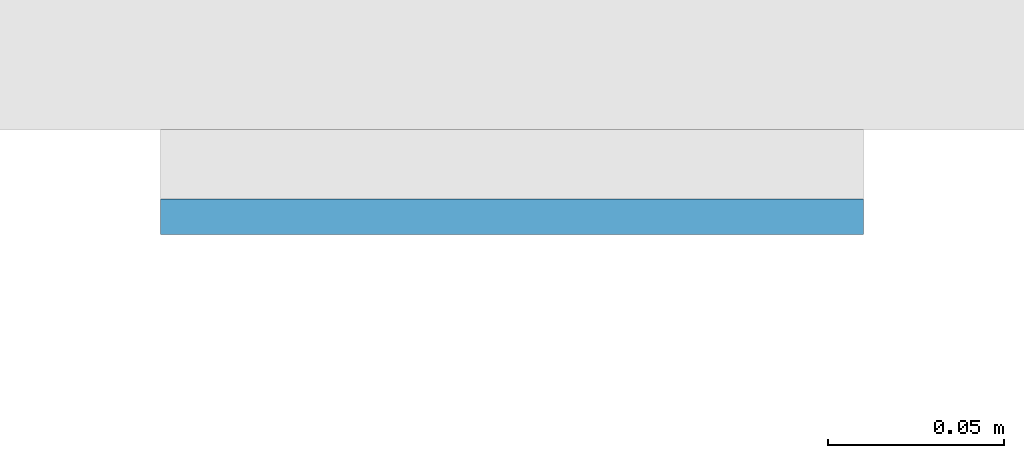
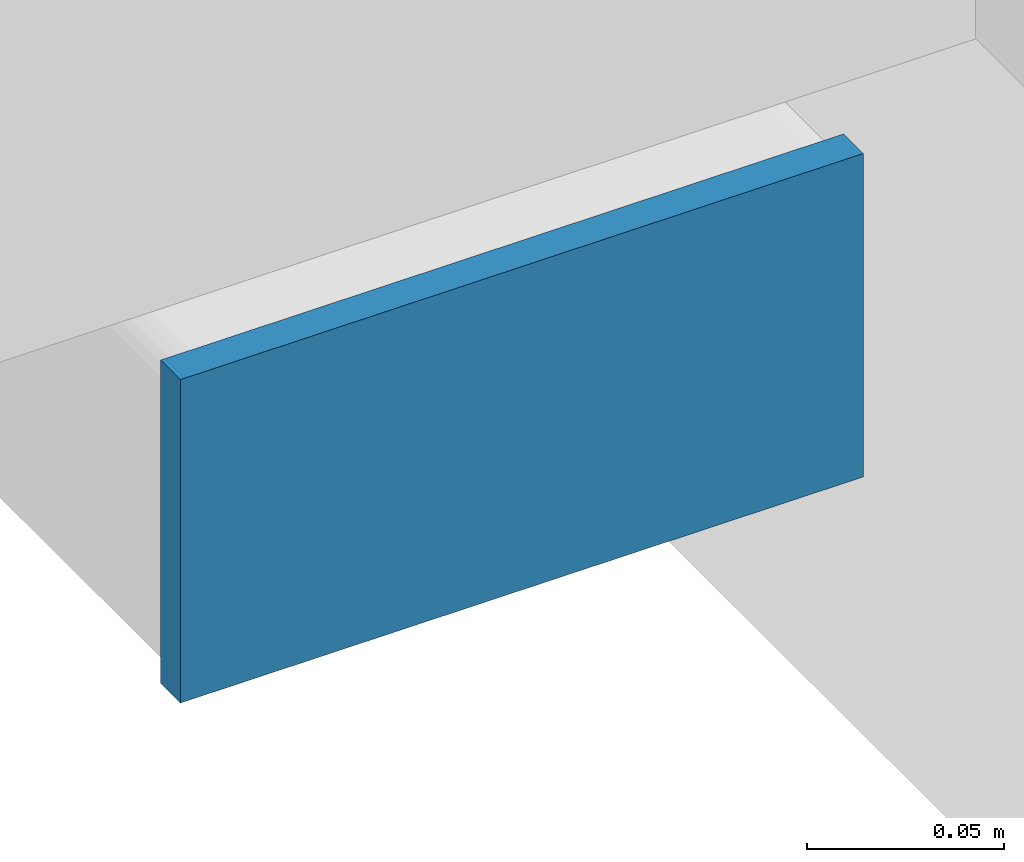
# One storey, part 8 of 20: 1 plate.
"""IFC4 building model written with IfcOpenShell, lengths in metres."""

from ifc_helpers import new_model, si_unit, direction, frame, origin, origin_2d, place, context, subcontext, project, spatial, rectangle, extrude, material, layer, layer_set, type_object, element, save


model = new_model("IFC4")

# Units and contexts
model_context = context("Model", 3, precision=1e-05, world=origin(), true_north=direction((0.0, 1.0)))
body_context = subcontext(model_context, "Body", "Model", "MODEL_VIEW")
ifc_project = project(units=[si_unit("LENGTHUNIT", "METRE"), si_unit("AREAUNIT", "SQUARE_METRE"), si_unit("VOLUMEUNIT", "CUBIC_METRE"), si_unit("PLANEANGLEUNIT", "RADIAN"), si_unit("MASSUNIT", "GRAM", prefix="KILO")], contexts=[model_context])

# Site, building, storey
site_placement = place(None, origin())
site = spatial("IfcSite", under=ifc_project, at=site_placement, CompositionType="ELEMENT")
building_placement = place(site_placement, origin())
building = spatial("IfcBuilding", under=site, at=building_placement, Name="Cleftline Residences", CompositionType="ELEMENT")
storey_placement = place(building_placement, frame((0.0, 0.0, 121.39990234375)))
storey = spatial("IfcBuildingStorey", under=building, at=storey_placement, Name="L31", CompositionType="ELEMENT", Elevation=121.39990234375)

# Plate
ifc_material = material(Name="Steel S355, hot-dip galvanised", Category="steel")
ifc_layer = layer(ifc_material, 0.010009765625)
ifc_layer_set = layer_set([ifc_layer], Name="BAGUETTE CARRIER END PLATE 200X100X10")
plate_type = type_object("IfcPlateType", Name="BAGUETTE CARRIER END PLATE 200X100X10", PredefinedType="USERDEFINED", material=ifc_layer_set)
plate_placement = place(storey_placement, frame((-0.85009765625, 3.695068359375, -0.099853515625), z_axis=(0.0, 0.0, 1.0), x_axis=(-1.0, 0.0, 0.0)))
element("IfcPlate", 1, at=plate_placement, inside=storey, type_object=plate_type, Name="Baguette carrier end plate", ObjectType="BAGUETTE CARRIER END PLATE", PredefinedType="USERDEFINED", context=body_context, shape_type="SweptSolid", body=[
    extrude(rectangle(XDim=0.199951171875, YDim=0.010009765625, at=origin_2d()), origin(), (0.0, 0.0, 1.0), 0.10009765625),
])

save(model, "model.ifc")
